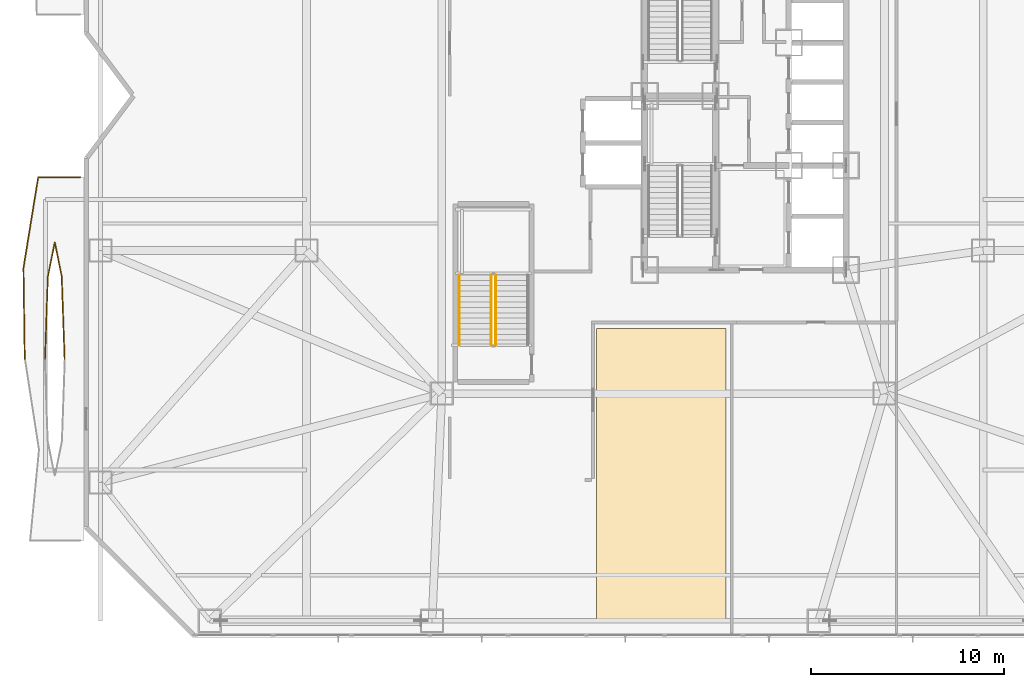
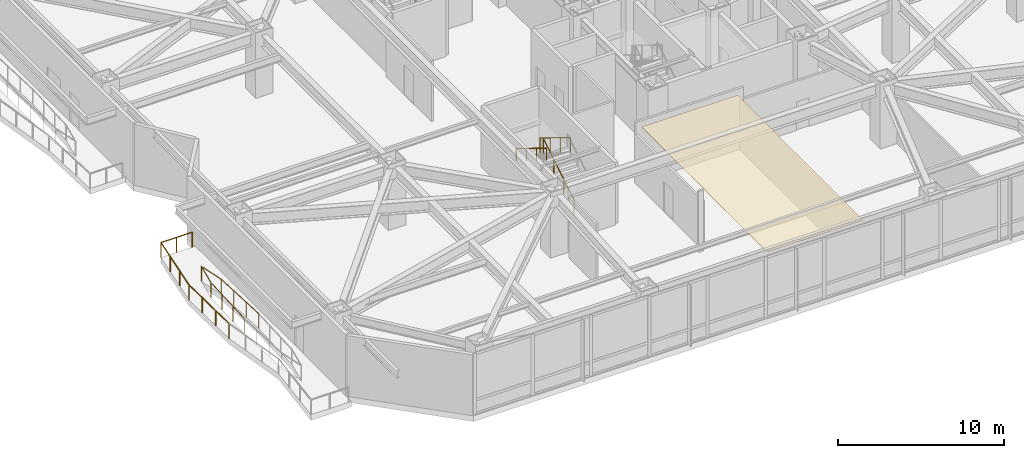
# One storey, part 27 of 33: 5 railings, 1 covering.
"""IFC4 building model written with IfcOpenShell, lengths in metres."""

from ifc_helpers import new_model, si_unit, direction, frame, origin, origin_2d, place, context, subcontext, project, spatial, polyline, circle, outline, extrude, material, layer, layer_set, type_object, element, save


model = new_model("IFC4")

# Units and contexts
model_context = context("Model", 3, precision=1e-05, world=origin(), true_north=direction((0.0, 1.0)))
body_context = subcontext(model_context, "Body", "Model", "MODEL_VIEW")
ifc_project = project(units=[si_unit("LENGTHUNIT", "METRE"), si_unit("AREAUNIT", "SQUARE_METRE"), si_unit("VOLUMEUNIT", "CUBIC_METRE"), si_unit("PLANEANGLEUNIT", "RADIAN"), si_unit("MASSUNIT", "GRAM", prefix="KILO")], contexts=[model_context])

# Site, building, storey
site_placement = place(None, origin())
site = spatial("IfcSite", under=ifc_project, at=site_placement, CompositionType="ELEMENT")
building_placement = place(site_placement, origin())
building = spatial("IfcBuilding", under=site, at=building_placement, Name="Khamvora Tower", CompositionType="ELEMENT")
storey_placement = place(building_placement, frame((0.0, 0.0, 7.199951171875)))
storey = spatial("IfcBuildingStorey", under=building, at=storey_placement, Name="L01", CompositionType="ELEMENT", Elevation=7.199951171875)

# Covering
ifc_material_1 = material(Name="Perforated Mineral-Fibre Acoustic Ceiling Tile", Category="gypsum")
ifc_layer = layer(ifc_material_1, 0.02490234375)
ifc_layer_set = layer_set([ifc_layer], Name="Perforated Mineral-Fibre Acoustic Ceiling Tile")
covering_type = type_object("IfcCoveringType", Name="COV-CEIL-600", PredefinedType="CEILING", material=ifc_layer_set)
covering_placement = place(storey_placement, frame((0.0, 0.0, 4.199951171875)))
element("IfcCovering", 1, at=covering_placement, inside=storey, type_object=covering_type, Name="L01 Early Years Kindergarten Classroom acoustic ceiling panel", PredefinedType="CEILING", context=body_context, shape_type="SweptSolid", body=[
    extrude(outline(polyline([(26.489990234375, 8.09912109375), (26.489990234375, 8.10009765625), (26.4990234375, 8.1240234375), (26.5048828125, 8.14892578125), (26.509033203125, 8.174072265625), (26.510009765625, 8.194091796875), (26.510009765625, 15.97998046875), (33.18994140625, 15.97998046875), (33.18994140625, 0.840087890625), (26.489990234375, 0.840087890625), (26.489990234375, 8.09912109375)])), origin(), (0.0, 0.0, 1.0), 0.025146484375),
])

# Railings
ifc_material_2 = material(Name="Stainless Steel 316 and Laminated Glass", Category="steel")
railing_type_1 = type_object("IfcRailingType", Name="RAL-GAL-1120", PredefinedType="GUARDRAIL", material=ifc_material_2)
railing_1_placement = place(storey_placement, frame((-3.072998046875, 14.39990234375, 0.0)))
element("IfcRailing", 2, at=railing_1_placement, inside=storey, type_object=railing_type_1, Name="L01 lens gallery north perimeter guardrail WL1", PredefinedType="GUARDRAIL", context=body_context, shape_type="SweptSolid", body=[
    extrude(circle(Radius=0.02392578125, at=origin_2d()), frame((0.0, 0.0, 1.09619140625), z_axis=(-0.013815427675, 0.999904562425, 0.0), x_axis=(-0.999904562425, -0.013815427675, 0.0)), (0.0, 0.0, 1.0), 4.70068359375),
    extrude(circle(Radius=0.02392578125, at=origin_2d()), frame((-0.06494140625, 4.7001953125, 1.09619140625), z_axis=(0.160231839887, 0.987079407893, 0.0), x_axis=(-0.987079407893, 0.160231839887, 0.0)), (0.0, 0.0, 1.0), 4.761474609375),
    extrude(circle(Radius=0.02392578125, at=origin_2d()), frame((0.697998046875, 9.400146484375, 1.09619140625), z_axis=(1.0, 0.0, 0.0), x_axis=(0.0, 1.0, 0.0)), (0.0, 0.0, 1.0), 2.175048828125),
    extrude(circle(Radius=0.02099609375, at=origin_2d()), origin(), (0.0, 0.0, 1.0), 1.072021484375),
    extrude(circle(Radius=0.02099609375, at=origin_2d()), frame((-0.021728515625, 1.566650390625, 0.0)), (0.0, 0.0, 1.0), 1.072021484375),
    extrude(circle(Radius=0.02099609375, at=origin_2d()), frame((-0.043212890625, 3.133544921875, 0.0)), (0.0, 0.0, 1.0), 1.072021484375),
    extrude(circle(Radius=0.02099609375, at=origin_2d()), frame((-0.06494140625, 4.7001953125, 0.0)), (0.0, 0.0, 1.0), 1.072021484375),
    extrude(circle(Radius=0.02099609375, at=origin_2d()), frame((0.189453125, 6.266845703125, 0.0)), (0.0, 0.0, 1.0), 1.072021484375),
    extrude(circle(Radius=0.02099609375, at=origin_2d()), frame((0.443603515625, 7.83349609375, 0.0)), (0.0, 0.0, 1.0), 1.072021484375),
    extrude(circle(Radius=0.02099609375, at=origin_2d()), frame((0.697998046875, 9.400146484375, 0.0)), (0.0, 0.0, 1.0), 1.072021484375),
    extrude(circle(Radius=0.02099609375, at=origin_2d()), frame((1.78564453125, 9.400146484375, 0.0)), (0.0, 0.0, 1.0), 1.072021484375),
    extrude(circle(Radius=0.02099609375, at=origin_2d()), frame((2.873046875, 9.400146484375, 0.0)), (0.0, 0.0, 1.0), 1.072021484375),
])
railing_2_placement = place(storey_placement, frame((-1.010986328125, 14.39990234375, 0.0)))
element("IfcRailing", 3, at=railing_2_placement, inside=storey, type_object=railing_type_1, Name="L01 lens gallery void guardrail WL1A", PredefinedType="GUARDRAIL", context=body_context, shape_type="SweptSolid", body=[
    extrude(circle(Radius=0.02392578125, at=origin_2d()), frame((0.0, 0.0, 1.09619140625), z_axis=(-0.034756605959, 0.999395806646, 0.0), x_axis=(-0.999395806646, -0.034756605959, 0.0)), (0.0, 0.0, 1.0), 4.2568359375),
    extrude(circle(Radius=0.02392578125, at=origin_2d()), frame((-0.14794921875, 4.254150390625, 1.09619140625), z_axis=(-0.198022438185, 0.980197487232, 0.0), x_axis=(-0.980197487232, -0.198022438185, 0.0)), (0.0, 0.0, 1.0), 1.797607421875),
    extrude(circle(Radius=0.02392578125, at=origin_2d()), frame((-0.50390625, 6.01611328125, 1.09619140625), z_axis=(-0.198152924969, -0.98017111686, 0.0), x_axis=(0.98017111686, -0.198152924969, 0.0)), (0.0, 0.0, 1.0), 1.797607421875),
    extrude(circle(Radius=0.02392578125, at=origin_2d()), frame((-0.860107421875, 4.254150390625, 1.09619140625), z_axis=(-0.034756605959, -0.999395806646, 0.0), x_axis=(0.999395806646, -0.034756605959, 0.0)), (0.0, 0.0, 1.0), 4.2568359375),
    extrude(circle(Radius=0.02099609375, at=origin_2d()), origin(), (0.0, 0.0, 1.0), 1.072021484375),
    extrude(circle(Radius=0.02099609375, at=origin_2d()), frame((-0.04931640625, 1.41796875, 0.0)), (0.0, 0.0, 1.0), 1.072021484375),
    extrude(circle(Radius=0.02099609375, at=origin_2d()), frame((-0.0986328125, 2.836181640625, 0.0)), (0.0, 0.0, 1.0), 1.072021484375),
    extrude(circle(Radius=0.02099609375, at=origin_2d()), frame((-0.14794921875, 4.254150390625, 0.0)), (0.0, 0.0, 1.0), 1.072021484375),
    extrude(circle(Radius=0.02099609375, at=origin_2d()), frame((-0.50390625, 6.01611328125, 0.0)), (0.0, 0.0, 1.0), 1.072021484375),
    extrude(circle(Radius=0.02099609375, at=origin_2d()), frame((-0.860107421875, 4.254150390625, 0.0)), (0.0, 0.0, 1.0), 1.072021484375),
    extrude(circle(Radius=0.02099609375, at=origin_2d()), frame((-0.909423828125, 2.836181640625, 0.0)), (0.0, 0.0, 1.0), 1.072021484375),
    extrude(circle(Radius=0.02099609375, at=origin_2d()), frame((-0.958740234375, 1.41796875, 0.0)), (0.0, 0.0, 1.0), 1.072021484375),
    extrude(circle(Radius=0.02099609375, at=origin_2d()), frame((-1.008056640625, 0.0, 0.0)), (0.0, 0.0, 1.0), 1.072021484375),
])
ifc_material_3 = material(Name="Brushed Stainless Steel 316", Category="steel")
railing_type_2 = type_object("IfcRailingType", Name="RAL-HDR-920", PredefinedType="HANDRAIL", material=ifc_material_3)
railing_3_placement = place(storey_placement, frame((19.39990234375, 18.739990234375, 2.571533203125)))
element("IfcRailing", 4, at=railing_3_placement, inside=storey, type_object=railing_type_2, Name="L01 ST-03 stair handrail 2", PredefinedType="HANDRAIL", context=body_context, shape_type="SweptSolid", body=[
    extrude(circle(Radius=0.02392578125, at=origin_2d()), frame((0.0, 0.0, 0.8759765625), z_axis=(0.0, -0.852850264322, 0.5221555579), x_axis=(1.0, 0.0, 0.0)), (0.0, 0.0, 1.0), 4.267822265625),
    extrude(circle(Radius=0.02099609375, at=origin_2d()), origin(), (0.0, 0.0, 1.0), 0.851806640625),
    extrude(circle(Radius=0.02099609375, at=origin_2d()), frame((0.0, -1.21337890625, 0.742919921875)), (0.0, 0.0, 1.0), 0.851806640625),
    extrude(circle(Radius=0.02099609375, at=origin_2d()), frame((0.0, -2.426513671875, 1.485595703125)), (0.0, 0.0, 1.0), 0.851806640625),
    extrude(circle(Radius=0.02099609375, at=origin_2d()), frame((0.0, -3.639892578125, 2.228515625)), (0.0, 0.0, 1.0), 0.851806640625),
])
ifc_material_4 = material(Name="Stainless Steel 316", Category="steel")
railing_type_3 = type_object("IfcRailingType", Name="RAL-STG-1100", PredefinedType="GUARDRAIL", material=ifc_material_4)
railing_4_placement = place(storey_placement, frame((21.300048828125, 15.10009765625, 0.17138671875)))
element("IfcRailing", 5, at=railing_4_placement, inside=storey, type_object=railing_type_3, Name="L01 ST-03 stair guard 1", PredefinedType="GUARDRAIL", context=body_context, shape_type="SweptSolid", body=[
    extrude(circle(Radius=0.02392578125, at=origin_2d()), frame((0.0, 0.0, 1.076171875), z_axis=(0.0, 0.852824790078, 0.522197163366), x_axis=(-1.0, 0.0, 0.0)), (0.0, 0.0, 1.0), 4.26806640625),
    extrude(circle(Radius=0.02099609375, at=origin_2d()), origin(), (0.0, 0.0, 1.0), 1.052001953125),
    extrude(circle(Radius=0.02099609375, at=origin_2d()), frame((0.0, 1.21337890625, 0.742919921875)), (0.0, 0.0, 1.0), 1.052001953125),
    extrude(circle(Radius=0.02099609375, at=origin_2d()), frame((0.0, 2.426513671875, 1.48583984375)), (0.0, 0.0, 1.0), 1.052001953125),
    extrude(circle(Radius=0.02099609375, at=origin_2d()), frame((0.0, 3.639892578125, 2.228759765625)), (0.0, 0.0, 1.0), 1.052001953125),
])
railing_5_placement = place(storey_placement, frame((21.050048828125, 18.739990234375, 2.571533203125)))
element("IfcRailing", 6, at=railing_5_placement, inside=storey, type_object=railing_type_3, Name="L01 ST-03 stair guard 3", PredefinedType="GUARDRAIL", context=body_context, shape_type="SweptSolid", body=[
    extrude(circle(Radius=0.02392578125, at=origin_2d()), frame((0.0, 0.0, 1.076171875), z_axis=(0.0, -0.852850264322, 0.5221555579), x_axis=(1.0, 0.0, 0.0)), (0.0, 0.0, 1.0), 4.267822265625),
    extrude(circle(Radius=0.02099609375, at=origin_2d()), origin(), (0.0, 0.0, 1.0), 1.052001953125),
    extrude(circle(Radius=0.02099609375, at=origin_2d()), frame((0.0, -1.21337890625, 0.742919921875)), (0.0, 0.0, 1.0), 1.052001953125),
    extrude(circle(Radius=0.02099609375, at=origin_2d()), frame((0.0, -2.426513671875, 1.485595703125)), (0.0, 0.0, 1.0), 1.052001953125),
    extrude(circle(Radius=0.02099609375, at=origin_2d()), frame((0.0, -3.639892578125, 2.228515625)), (0.0, 0.0, 1.0), 1.052001953125),
])

save(model, "model.ifc")
